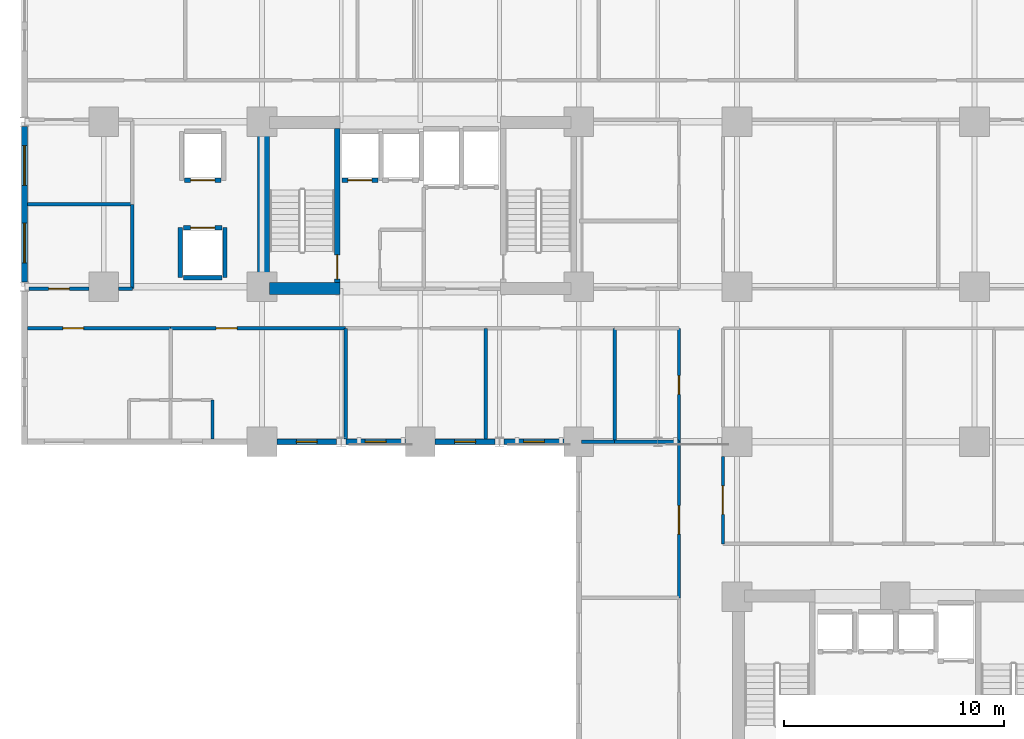
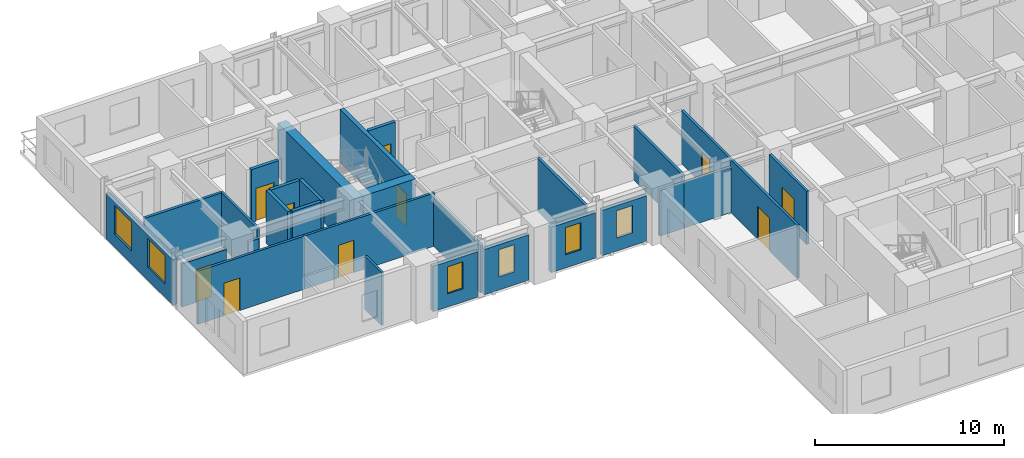
# One storey, part 3 of 11: 29 walls, 10 doors, 6 windows, 16 openings.
"""IFC4 building model written with IfcOpenShell, lengths in metres."""

from ifc_helpers import new_model, si_unit, direction, frame, frame_2d, origin, place, context, subcontext, project, spatial, rectangle, extrude, material, layer, layer_set, type_object, element, fill, save


model = new_model("IFC4")

# Units and contexts
model_context = context("Model", 3, precision=1e-05, world=origin(), true_north=direction((0.0, 1.0)))
body_context = subcontext(model_context, "Body", "Model", "MODEL_VIEW")
ifc_project = project(units=[si_unit("LENGTHUNIT", "METRE"), si_unit("AREAUNIT", "SQUARE_METRE"), si_unit("VOLUMEUNIT", "CUBIC_METRE"), si_unit("PLANEANGLEUNIT", "RADIAN"), si_unit("MASSUNIT", "GRAM", prefix="KILO")], contexts=[model_context])

# Site, building, storey
site_placement = place(None, origin())
site = spatial("IfcSite", under=ifc_project, at=site_placement, CompositionType="ELEMENT")
building_placement = place(site_placement, origin())
building = spatial("IfcBuilding", under=site, at=building_placement, Name="Kaliganga Portal Commons", CompositionType="ELEMENT")
storey_placement = place(building_placement, frame((0.0, 0.0, 36.39990234375)))
storey = spatial("IfcBuildingStorey", under=building, at=storey_placement, Name="L08", CompositionType="ELEMENT", Elevation=36.39990234375)

# Walls
ifc_material_1 = material(Name="Concrete C60/75", Category="concrete")
ifc_layer_1 = layer(ifc_material_1, 0.550048828125)
ifc_layer_set_1 = layer_set([ifc_layer_1], Name="Concrete C60/75")
wall_type_1 = type_object("IfcWallType", Name="WL-CORE-550", PredefinedType="SHEAR", material=ifc_layer_set_1)
wall_1_placement = place(storey_placement, frame((14.47509765625, 28.300048828125, 0.0), z_axis=(0.0, 0.0, 1.0), x_axis=(0.0, 1.0, 0.0)))
element("IfcWall", 1, at=wall_1_placement, inside=storey, type_object=wall_type_1, Name="Core A West Shear Wall L08", PredefinedType="SHEAR", context=body_context, shape_type="SweptSolid", body=[
    extrude(rectangle(XDim=8.099853515625, YDim=0.550048828125, at=frame_2d((4.0498046875, 0.0))), origin(), (0.0, 0.0, 1.0), 3.4501953125),
])
wall_2_placement = place(storey_placement, frame((14.75, 28.574951171875, 0.0), z_axis=(0.0, 0.0, 1.0), x_axis=(1.0, 0.0, 0.0)))
element("IfcWall", 2, at=wall_2_placement, inside=storey, type_object=wall_type_1, Name="Core A S-West Shear Wall L08", PredefinedType="SHEAR", context=body_context, shape_type="SweptSolid", body=[
    extrude(rectangle(XDim=3.199951171875, YDim=0.550048828125, at=frame_2d((1.60009765625, 0.0))), origin(), (0.0, 0.0, 1.0), 3.4501953125),
])

# Wall, openings, windows
ifc_material_2 = material(Name="Insulated Aluminium-Clad Spandrel Assembly", Category="aluminium")
ifc_layer_2 = layer(ifc_material_2, 0.260009765625)
ifc_layer_set_2 = layer_set([ifc_layer_2], Name="Insulated Aluminium-Clad Spandrel Assembly")
wall_type_2 = type_object("IfcWallType", Name="WL-EXT-SPAND-260", PredefinedType="STANDARD", material=ifc_layer_set_2)
wall_3_placement = place(storey_placement, frame((3.60009765625, 28.8740234375, 0.0), z_axis=(0.0, 0.0, 1.0), x_axis=(0.0, 1.0, 0.0)))
wall_3 = element("IfcWall", 3, at=wall_3_placement, inside=storey, type_object=wall_type_2, Name="Exterior Envelope Wall L08 P1-E03-S2", PredefinedType="STANDARD", context=body_context, shape_type="SweptSolid", body=[
    extrude(rectangle(XDim=7.052001953125, YDim=0.260009765625, at=frame_2d((3.52587890625, 0.0))), origin(), (0.0, 0.0, 1.0), 2.93017578125),
])
opening_1_placement = place(wall_3_placement, frame((0.863037109375, 0.0, 0.85009765625)))
opening_1 = element("IfcOpeningElement", 4, at=opening_1_placement, cuts=wall_3, Name="Opening W-01", PredefinedType="OPENING", context=body_context, shape_type="SweptSolid", body=[
    extrude(rectangle(XDim=1.800048828125, YDim=1.85009765625, at=frame_2d((0.89990234375, 0.925048828125))), frame((0.0, 0.14013671875, 0.0), z_axis=(0.0, -1.0, 0.0), x_axis=(1.0, 0.0, 0.0)), (0.0, 0.0, 1.0), 0.280029296875),
])
opening_2_placement = place(wall_3_placement, frame((4.388916015625, 0.0, 0.85009765625)))
opening_2 = element("IfcOpeningElement", 5, at=opening_2_placement, cuts=wall_3, Name="Opening W-01", PredefinedType="OPENING", context=body_context, shape_type="SweptSolid", body=[
    extrude(rectangle(XDim=1.800048828125, YDim=1.85009765625, at=frame_2d((0.89990234375, 0.925048828125))), frame((0.0, 0.14013671875, 0.0), z_axis=(0.0, -1.0, 0.0), x_axis=(1.0, 0.0, 0.0)), (0.0, 0.0, 1.0), 0.280029296875),
])
ifc_material_3 = material(Name="Thermally Broken Aluminium and Low-E Double Glazing", Category="aluminium")
window_type_1 = type_object("IfcWindowType", Name="WIN-STD-1800", PartitioningType="DOUBLE_PANEL_VERTICAL", PredefinedType="WINDOW", material=ifc_material_3)
window_1_placement = place(opening_1_placement, origin())
window_1 = element("IfcWindow", 6, at=window_1_placement, inside=storey, type_object=window_type_1, Name="Facade Window L08-P1E03S2-00", OverallHeight=1.85009765625, OverallWidth=1.800048828125, PartitioningType="SINGLE_PANEL", PredefinedType="WINDOW", context=body_context, shape_type="SweptSolid", body=[
    extrude(rectangle(XDim=1.800048828125, YDim=1.85009765625, at=frame_2d((0.89990234375, 0.925048828125))), frame((0.0, 0.030029296875, 0.0), z_axis=(0.0, -1.0, 0.0), x_axis=(1.0, 0.0, 0.0)), (0.0, 0.0, 1.0), 0.06005859375),
])
fill(opening_1, window_1)
window_2_placement = place(opening_2_placement, origin())
window_2 = element("IfcWindow", 7, at=window_2_placement, inside=storey, type_object=window_type_1, Name="Facade Window L08-P1E03S2-01", OverallHeight=1.85009765625, OverallWidth=1.800048828125, PartitioningType="SINGLE_PANEL", PredefinedType="WINDOW", context=body_context, shape_type="SweptSolid", body=[
    extrude(rectangle(XDim=1.800048828125, YDim=1.85009765625, at=frame_2d((0.89990234375, 0.925048828125))), frame((0.0, 0.030029296875, 0.0), z_axis=(0.0, -1.0, 0.0), x_axis=(1.0, 0.0, 0.0)), (0.0, 0.0, 1.0), 0.06005859375),
])
fill(opening_2, window_2)

# Wall, opening, window
wall_4_placement = place(storey_placement, frame((17.791015625, 21.60009765625, 0.0), z_axis=(0.0, 0.0, 1.0), x_axis=(-1.0, 0.0, 0.0)))
wall_4 = element("IfcWall", 8, at=wall_4_placement, inside=storey, type_object=wall_type_2, Name="Exterior Envelope Wall L08 P1-E04-S2", PredefinedType="STANDARD", context=body_context, shape_type="SweptSolid", body=[
    extrude(rectangle(XDim=2.715087890625, YDim=0.260009765625, at=frame_2d((1.357421875, 0.0))), origin(), (0.0, 0.0, 1.0), 2.93017578125),
])
opening_3_placement = place(wall_4_placement, frame((0.882568359375, 0.0, 0.85009765625)))
opening_3 = element("IfcOpeningElement", 9, at=opening_3_placement, cuts=wall_4, Name="Opening W-04", PredefinedType="OPENING", context=body_context, shape_type="SweptSolid", body=[
    extrude(rectangle(XDim=0.949951171875, YDim=1.75, at=frame_2d((0.47509765625, 0.875))), frame((0.0, 0.14013671875, 0.0), z_axis=(0.0, -1.0, 0.0), x_axis=(1.0, 0.0, 0.0)), (0.0, 0.0, 1.0), 0.280029296875),
])
window_type_2 = type_object("IfcWindowType", Name="WIN-NARROW-950", PartitioningType="SINGLE_PANEL", PredefinedType="WINDOW", material=ifc_material_3)
window_3_placement = place(opening_3_placement, origin())
window_3 = element("IfcWindow", 10, at=window_3_placement, inside=storey, type_object=window_type_2, Name="Facade Window L08-P1E04S2-00", OverallHeight=1.75, OverallWidth=0.949951171875, PartitioningType="SINGLE_PANEL", PredefinedType="WINDOW", context=body_context, shape_type="SweptSolid", body=[
    extrude(rectangle(XDim=0.949951171875, YDim=1.75, at=frame_2d((0.47509765625, 0.875))), frame((0.0, 0.030029296875, 0.0), z_axis=(0.0, -1.0, 0.0), x_axis=(1.0, 0.0, 0.0)), (0.0, 0.0, 1.0), 0.06005859375),
])
fill(opening_3, window_3)

wall_5_placement = place(storey_placement, frame((20.924072265625, 21.60009765625, 0.0), z_axis=(0.0, 0.0, 1.0), x_axis=(-1.0, 0.0, 0.0)))
wall_5 = element("IfcWall", 11, at=wall_5_placement, inside=storey, type_object=wall_type_2, Name="Exterior Envelope Wall L08 P1-E04-S3", PredefinedType="STANDARD", context=body_context, shape_type="SweptSolid", body=[
    extrude(rectangle(XDim=2.715087890625, YDim=0.260009765625, at=frame_2d((1.357421875, 0.0))), origin(), (0.0, 0.0, 1.0), 2.93017578125),
])
opening_4_placement = place(wall_5_placement, frame((0.882568359375, 0.0, 0.85009765625)))
opening_4 = element("IfcOpeningElement", 12, at=opening_4_placement, cuts=wall_5, Name="Opening W-04", PredefinedType="OPENING", context=body_context, shape_type="SweptSolid", body=[
    extrude(rectangle(XDim=0.949951171875, YDim=1.75, at=frame_2d((0.47509765625, 0.875))), frame((0.0, 0.14013671875, 0.0), z_axis=(0.0, -1.0, 0.0), x_axis=(1.0, 0.0, 0.0)), (0.0, 0.0, 1.0), 0.280029296875),
])
window_4_placement = place(opening_4_placement, origin())
window_4 = element("IfcWindow", 13, at=window_4_placement, inside=storey, type_object=window_type_2, Name="Facade Window L08-P1E04S3-00", OverallHeight=1.75, OverallWidth=0.949951171875, PartitioningType="SINGLE_PANEL", PredefinedType="WINDOW", context=body_context, shape_type="SweptSolid", body=[
    extrude(rectangle(XDim=0.949951171875, YDim=1.75, at=frame_2d((0.47509765625, 0.875))), frame((0.0, 0.030029296875, 0.0), z_axis=(0.0, -1.0, 0.0), x_axis=(1.0, 0.0, 0.0)), (0.0, 0.0, 1.0), 0.06005859375),
])
fill(opening_4, window_4)

wall_6_placement = place(storey_placement, frame((24.990966796875, 21.60009765625, 0.0), z_axis=(0.0, 0.0, 1.0), x_axis=(-1.0, 0.0, 0.0)))
wall_6 = element("IfcWall", 14, at=wall_6_placement, inside=storey, type_object=wall_type_2, Name="Exterior Envelope Wall L08 P1-E04-S4", PredefinedType="STANDARD", context=body_context, shape_type="SweptSolid", body=[
    extrude(rectangle(XDim=2.715087890625, YDim=0.260009765625, at=frame_2d((1.357421875, 0.0))), origin(), (0.0, 0.0, 1.0), 2.93017578125),
])
opening_5_placement = place(wall_6_placement, frame((0.882568359375, 0.0, 0.85009765625)))
opening_5 = element("IfcOpeningElement", 15, at=opening_5_placement, cuts=wall_6, Name="Opening W-04", PredefinedType="OPENING", context=body_context, shape_type="SweptSolid", body=[
    extrude(rectangle(XDim=0.949951171875, YDim=1.75, at=frame_2d((0.47509765625, 0.875))), frame((0.0, 0.14013671875, 0.0), z_axis=(0.0, -1.0, 0.0), x_axis=(1.0, 0.0, 0.0)), (0.0, 0.0, 1.0), 0.280029296875),
])
window_5_placement = place(opening_5_placement, origin())
window_5 = element("IfcWindow", 16, at=window_5_placement, inside=storey, type_object=window_type_2, Name="Facade Window L08-P1E04S4-00", OverallHeight=1.75, OverallWidth=0.949951171875, PartitioningType="SINGLE_PANEL", PredefinedType="WINDOW", context=body_context, shape_type="SweptSolid", body=[
    extrude(rectangle(XDim=0.949951171875, YDim=1.75, at=frame_2d((0.47509765625, 0.875))), frame((0.0, 0.030029296875, 0.0), z_axis=(0.0, -1.0, 0.0), x_axis=(1.0, 0.0, 0.0)), (0.0, 0.0, 1.0), 0.06005859375),
])
fill(opening_5, window_5)

wall_7_placement = place(storey_placement, frame((28.1240234375, 21.60009765625, 0.0), z_axis=(0.0, 0.0, 1.0), x_axis=(-1.0, 0.0, 0.0)))
wall_7 = element("IfcWall", 17, at=wall_7_placement, inside=storey, type_object=wall_type_2, Name="Exterior Envelope Wall L08 P1-E04-S5", PredefinedType="STANDARD", context=body_context, shape_type="SweptSolid", body=[
    extrude(rectangle(XDim=2.715087890625, YDim=0.260009765625, at=frame_2d((1.357421875, 0.0))), origin(), (0.0, 0.0, 1.0), 2.93017578125),
])
opening_6_placement = place(wall_7_placement, frame((0.882568359375, 0.0, 0.85009765625)))
opening_6 = element("IfcOpeningElement", 18, at=opening_6_placement, cuts=wall_7, Name="Opening W-04", PredefinedType="OPENING", context=body_context, shape_type="SweptSolid", body=[
    extrude(rectangle(XDim=0.949951171875, YDim=1.75, at=frame_2d((0.47509765625, 0.875))), frame((0.0, 0.14013671875, 0.0), z_axis=(0.0, -1.0, 0.0), x_axis=(1.0, 0.0, 0.0)), (0.0, 0.0, 1.0), 0.280029296875),
])
window_6_placement = place(opening_6_placement, origin())
window_6 = element("IfcWindow", 19, at=window_6_placement, inside=storey, type_object=window_type_2, Name="Facade Window L08-P1E04S5-00", OverallHeight=1.75, OverallWidth=0.949951171875, PartitioningType="SINGLE_PANEL", PredefinedType="WINDOW", context=body_context, shape_type="SweptSolid", body=[
    extrude(rectangle(XDim=0.949951171875, YDim=1.75, at=frame_2d((0.47509765625, 0.875))), frame((0.0, 0.030029296875, 0.0), z_axis=(0.0, -1.0, 0.0), x_axis=(1.0, 0.0, 0.0)), (0.0, 0.0, 1.0), 0.06005859375),
])
fill(opening_6, window_6)

# Wall, opening, door
ifc_material_4 = material(Name="Fire-Rated Gypsum Board on Steel Stud", Category="steel")
ifc_layer_3 = layer(ifc_material_4, 0.14990234375)
ifc_layer_set_3 = layer_set([ifc_layer_3], Name="Fire-Rated Gypsum Board on Steel Stud")
wall_type_3 = type_object("IfcWallType", Name="WL-PART-CORR-150", PredefinedType="PARTITIONING", material=ifc_layer_set_3)
wall_8_placement = place(storey_placement, frame((35.360107421875, 16.9599609375, 0.0), z_axis=(0.0, 0.0, 1.0), x_axis=(0.0, 1.0, 0.0)))
wall_8 = element("IfcWall", 20, at=wall_8_placement, inside=storey, type_object=wall_type_3, Name="Interior Partition L08-008", PredefinedType="PARTITIONING", context=body_context, shape_type="SweptSolid", body=[
    extrude(rectangle(XDim=3.965087890625, YDim=0.14990234375, at=frame_2d((1.982421875, 0.0))), origin(), (0.0, 0.0, 1.0), 3.43017578125),
])
opening_7_placement = place(wall_8_placement, frame((1.33251953125, 0.0, 0.0)))
opening_7 = element("IfcOpeningElement", 21, at=opening_7_placement, cuts=wall_8, Name="Opening RD-03", PredefinedType="OPENING", context=body_context, shape_type="SweptSolid", body=[
    extrude(rectangle(XDim=1.300048828125, YDim=2.1201171875, at=frame_2d((0.64990234375, 1.06005859375))), frame((0.0, 0.0849609375, 0.0), z_axis=(0.0, -1.0, 0.0), x_axis=(1.0, 0.0, 0.0)), (0.0, 0.0, 1.0), 0.169921875),
])
ifc_material_5 = material(Name="Glazed Timber Seminar Vision Door", Category="wood")
door_type_1 = type_object("IfcDoorType", Name="DR-STUDY-1300", OperationType="DOUBLE_DOOR_SINGLE_SWING", PredefinedType="DOOR", material=ifc_material_5)
door_1_placement = place(opening_7_placement, origin())
door_1 = element("IfcDoor", 22, at=door_1_placement, inside=storey, type_object=door_type_1, Name="Interior Door L08-BM01", OperationType="DOUBLE_DOOR_SINGLE_SWING", OverallHeight=2.1201171875, OverallWidth=1.300048828125, PredefinedType="DOOR", context=body_context, shape_type="SweptSolid", body=[
    extrude(rectangle(XDim=1.300048828125, YDim=2.1201171875, at=frame_2d((0.64990234375, 1.06005859375))), frame((0.0, 0.02490234375, 0.0), z_axis=(0.0, -1.0, 0.0), x_axis=(1.0, 0.0, 0.0)), (0.0, 0.0, 1.0), 0.050048828125),
])
fill(opening_7, door_1)

wall_9_placement = place(storey_placement, frame((10.239990234375, 26.760009765625, 0.0), z_axis=(0.0, 0.0, 1.0), x_axis=(1.0, 0.0, 0.0)))
wall_9 = element("IfcWall", 23, at=wall_9_placement, inside=storey, type_object=wall_type_3, Name="Interior Partition L08-016", PredefinedType="PARTITIONING", context=body_context, shape_type="SweptSolid", body=[
    extrude(rectangle(XDim=7.9599609375, YDim=0.14990234375, at=frame_2d((3.97998046875, 0.0))), origin(), (0.0, 0.0, 1.0), 3.43017578125),
])
opening_8_placement = place(wall_9_placement, frame((2.072265625, 0.0, 0.0)))
opening_8 = element("IfcOpeningElement", 24, at=opening_8_placement, cuts=wall_9, Name="Opening UD-01", PredefinedType="OPENING", context=body_context, shape_type="SweptSolid", body=[
    extrude(rectangle(XDim=0.949951171875, YDim=2.10009765625, at=frame_2d((0.47509765625, 1.050048828125))), frame((0.0, 0.0849609375, 0.0), z_axis=(0.0, -1.0, 0.0), x_axis=(1.0, 0.0, 0.0)), (0.0, 0.0, 1.0), 0.169921875),
])
ifc_material_6 = material(Name="Solid-Core Timber Acoustic Fire Door", Category="wood")
door_type_2 = type_object("IfcDoorType", Name="DR-UNIT-950", OperationType="NOTDEFINED", PredefinedType="DOOR", material=ifc_material_6)
door_2_placement = place(opening_8_placement, origin())
door_2 = element("IfcDoor", 25, at=door_2_placement, inside=storey, type_object=door_type_2, Name="Interior Door L08-AS02", OperationType="SINGLE_SWING_RIGHT", OverallHeight=2.10009765625, OverallWidth=0.949951171875, PredefinedType="DOOR", context=body_context, shape_type="SweptSolid", body=[
    extrude(rectangle(XDim=0.949951171875, YDim=2.10009765625, at=frame_2d((0.47509765625, 1.050048828125))), frame((0.0, 0.02490234375, 0.0), z_axis=(0.0, -1.0, 0.0), x_axis=(1.0, 0.0, 0.0)), (0.0, 0.0, 1.0), 0.050048828125),
])
fill(opening_8, door_2)

wall_10_placement = place(storey_placement, frame((33.360107421875, 14.5, 0.0), z_axis=(0.0, 0.0, 1.0), x_axis=(0.0, 1.0, 0.0)))
wall_10 = element("IfcWall", 26, at=wall_10_placement, inside=storey, type_object=wall_type_3, Name="Interior Partition L08-021", PredefinedType="PARTITIONING", context=body_context, shape_type="SweptSolid", body=[
    extrude(rectangle(XDim=7.10009765625, YDim=0.14990234375, at=frame_2d((3.550048828125, 0.0))), origin(), (0.0, 0.0, 1.0), 3.43017578125),
])
opening_9_placement = place(wall_10_placement, frame((2.89990234375, 0.0, 0.0)))
opening_9 = element("IfcOpeningElement", 27, at=opening_9_placement, cuts=wall_10, Name="Opening RD-03", PredefinedType="OPENING", context=body_context, shape_type="SweptSolid", body=[
    extrude(rectangle(XDim=1.300048828125, YDim=2.1201171875, at=frame_2d((0.64990234375, 1.06005859375))), frame((0.0, 0.0849609375, 0.0), z_axis=(0.0, -1.0, 0.0), x_axis=(1.0, 0.0, 0.0)), (0.0, 0.0, 1.0), 0.169921875),
])
door_3_placement = place(opening_9_placement, origin())
door_3 = element("IfcDoor", 28, at=door_3_placement, inside=storey, type_object=door_type_1, Name="Interior Door L08-KW02", OperationType="DOUBLE_DOOR_SINGLE_SWING", OverallHeight=2.1201171875, OverallWidth=1.300048828125, PredefinedType="DOOR", context=body_context, shape_type="SweptSolid", body=[
    extrude(rectangle(XDim=1.300048828125, YDim=2.1201171875, at=frame_2d((0.64990234375, 1.06005859375))), frame((0.0, 0.02490234375, 0.0), z_axis=(0.0, -1.0, 0.0), x_axis=(1.0, 0.0, 0.0)), (0.0, 0.0, 1.0), 0.050048828125),
])
fill(opening_9, door_3)

wall_11_placement = place(storey_placement, frame((3.73193359375, 26.760009765625, 0.0), z_axis=(0.0, 0.0, 1.0), x_axis=(1.0, 0.0, 0.0)))
wall_11 = element("IfcWall", 29, at=wall_11_placement, inside=storey, type_object=wall_type_3, Name="Interior Partition L08-026", PredefinedType="PARTITIONING", context=body_context, shape_type="SweptSolid", body=[
    extrude(rectangle(XDim=6.508056640625, YDim=0.14990234375, at=frame_2d((3.25390625, 0.0))), origin(), (0.0, 0.0, 1.0), 3.43017578125),
])
opening_10_placement = place(wall_11_placement, frame((1.607666015625, 0.0, 0.0)))
opening_10 = element("IfcOpeningElement", 30, at=opening_10_placement, cuts=wall_11, Name="Opening UD-01", PredefinedType="OPENING", context=body_context, shape_type="SweptSolid", body=[
    extrude(rectangle(XDim=0.949951171875, YDim=2.10009765625, at=frame_2d((0.47509765625, 1.050048828125))), frame((0.0, 0.0849609375, 0.0), z_axis=(0.0, -1.0, 0.0), x_axis=(1.0, 0.0, 0.0)), (0.0, 0.0, 1.0), 0.169921875),
])
door_4_placement = place(opening_10_placement, origin())
door_4 = element("IfcDoor", 31, at=door_4_placement, inside=storey, type_object=door_type_2, Name="Interior Door L08-AS01", OperationType="SINGLE_SWING_LEFT", OverallHeight=2.10009765625, OverallWidth=0.949951171875, PredefinedType="DOOR", context=body_context, shape_type="SweptSolid", body=[
    extrude(rectangle(XDim=0.949951171875, YDim=2.10009765625, at=frame_2d((0.47509765625, 1.050048828125))), frame((0.0, 0.02490234375, 0.0), z_axis=(0.0, -1.0, 0.0), x_axis=(1.0, 0.0, 0.0)), (0.0, 0.0, 1.0), 0.050048828125),
])
fill(opening_10, door_4)

wall_12_placement = place(storey_placement, frame((33.360107421875, 21.60009765625, 0.0), z_axis=(0.0, 0.0, 1.0), x_axis=(0.0, 1.0, 0.0)))
wall_12 = element("IfcWall", 32, at=wall_12_placement, inside=storey, type_object=wall_type_3, Name="Interior Partition L08-030", PredefinedType="PARTITIONING", context=body_context, shape_type="SweptSolid", body=[
    extrude(rectangle(XDim=5.159912109375, YDim=0.14990234375, at=frame_2d((2.580078125, 0.0))), origin(), (0.0, 0.0, 1.0), 3.43017578125),
])
opening_11_placement = place(wall_12_placement, frame((2.14990234375, 0.0, 0.0)))
opening_11 = element("IfcOpeningElement", 33, at=opening_11_placement, cuts=wall_12, Name="Opening WD-02", PredefinedType="OPENING", context=body_context, shape_type="SweptSolid", body=[
    extrude(rectangle(XDim=0.860107421875, YDim=2.02001953125, at=frame_2d((0.43017578125, 1.010009765625))), frame((0.0, 0.0849609375, 0.0), z_axis=(0.0, -1.0, 0.0), x_axis=(1.0, 0.0, 0.0)), (0.0, 0.0, 1.0), 0.169921875),
])
ifc_material_7 = material(Name="Fire-Rated Utility Closet Door", Category="wood")
door_type_3 = type_object("IfcDoorType", Name="DR-STORE-800", OperationType="NOTDEFINED", PredefinedType="DOOR", material=ifc_material_7)
door_5_placement = place(opening_11_placement, origin())
door_5 = element("IfcDoor", 34, at=door_5_placement, inside=storey, type_object=door_type_3, Name="Interior Door L08-AS05", OperationType="SINGLE_SWING_LEFT", OverallHeight=2.02001953125, OverallWidth=0.860107421875, PredefinedType="DOOR", context=body_context, shape_type="SweptSolid", body=[
    extrude(rectangle(XDim=0.860107421875, YDim=2.02001953125, at=frame_2d((0.43017578125, 1.010009765625))), frame((0.0, 0.02490234375, 0.0), z_axis=(0.0, -1.0, 0.0), x_axis=(1.0, 0.0, 0.0)), (0.0, 0.0, 1.0), 0.050048828125),
])
fill(opening_11, door_5)

wall_13_placement = place(storey_placement, frame((3.80810546875, 28.56005859375, 0.0), z_axis=(0.0, 0.0, 1.0), x_axis=(1.0, 0.0, 0.0)))
wall_13 = element("IfcWall", 35, at=wall_13_placement, inside=storey, type_object=wall_type_3, Name="Interior Partition L08-033", PredefinedType="PARTITIONING", context=body_context, shape_type="SweptSolid", body=[
    extrude(rectangle(XDim=2.716796875, YDim=0.14990234375, at=frame_2d((1.3583984375, 0.0))), origin(), (0.0, 0.0, 1.0), 2.780029296875),
])
opening_12_placement = place(wall_13_placement, frame((0.883544921875, 0.0, 0.0)))
opening_12 = element("IfcOpeningElement", 36, at=opening_12_placement, cuts=wall_13, Name="Opening UD-01", PredefinedType="OPENING", context=body_context, shape_type="SweptSolid", body=[
    extrude(rectangle(XDim=0.949951171875, YDim=2.10009765625, at=frame_2d((0.47509765625, 1.050048828125))), frame((0.0, 0.0849609375, 0.0), z_axis=(0.0, -1.0, 0.0), x_axis=(1.0, 0.0, 0.0)), (0.0, 0.0, 1.0), 0.169921875),
])
door_6_placement = place(opening_12_placement, origin())
door_6 = element("IfcDoor", 37, at=door_6_placement, inside=storey, type_object=door_type_2, Name="Interior Door L08-AW01", OperationType="SINGLE_SWING_RIGHT", OverallHeight=2.10009765625, OverallWidth=0.949951171875, PredefinedType="DOOR", context=body_context, shape_type="SweptSolid", body=[
    extrude(rectangle(XDim=0.949951171875, YDim=2.10009765625, at=frame_2d((0.47509765625, 1.050048828125))), frame((0.0, 0.02490234375, 0.0), z_axis=(0.0, -1.0, 0.0), x_axis=(1.0, 0.0, 0.0)), (0.0, 0.0, 1.0), 0.050048828125),
])
fill(opening_12, door_6)

# Walls
wall_14_placement = place(storey_placement, frame((7.875, 28.56005859375, 0.0), z_axis=(0.0, 0.0, 1.0), x_axis=(1.0, 0.0, 0.0)))
element("IfcWall", 38, at=wall_14_placement, inside=storey, type_object=wall_type_3, Name="Interior Partition L08-034", PredefinedType="PARTITIONING", context=body_context, shape_type="SweptSolid", body=[
    extrude(rectangle(XDim=0.625, YDim=0.14990234375, at=frame_2d((0.3125, 0.0))), origin(), (0.0, 0.0, 1.0), 2.780029296875),
])
wall_15_placement = place(storey_placement, frame((8.5, 28.56005859375, 0.0), z_axis=(0.0, 0.0, 1.0), x_axis=(0.0, 1.0, 0.0)))
element("IfcWall", 39, at=wall_15_placement, inside=storey, type_object=wall_type_3, Name="Interior Partition L08-046", PredefinedType="PARTITIONING", context=body_context, shape_type="SweptSolid", body=[
    extrude(rectangle(XDim=3.83984375, YDim=0.14990234375, at=frame_2d((1.919921875, 0.0))), origin(), (0.0, 0.0, 1.0), 3.43017578125),
])
ifc_material_8 = material(Name="Twin-Stud Acoustic Gypsum Partition", Category="gypsum")
ifc_layer_4 = layer(ifc_material_8, 0.1650390625)
ifc_layer_set_4 = layer_set([ifc_layer_4], Name="Twin-Stud Acoustic Gypsum Partition")
wall_type_4 = type_object("IfcWallType", Name="WL-PART-UNIT-165", PredefinedType="PARTITIONING", material=ifc_layer_set_4)
wall_16_placement = place(storey_placement, frame((18.199951171875, 21.73193359375, 0.0), z_axis=(0.0, 0.0, 1.0), x_axis=(0.0, 1.0, 0.0)))
element("IfcWall", 40, at=wall_16_placement, inside=storey, type_object=wall_type_4, Name="Interior Partition L08-075", PredefinedType="PARTITIONING", context=body_context, shape_type="SweptSolid", body=[
    extrude(rectangle(XDim=5.028076171875, YDim=0.1650390625, at=frame_2d((2.51416015625, 0.0))), origin(), (0.0, 0.0, 1.0), 3.070068359375),
])
wall_17_placement = place(storey_placement, frame((24.580078125, 21.73193359375, 0.0), z_axis=(0.0, 0.0, 1.0), x_axis=(0.0, 1.0, 0.0)))
element("IfcWall", 41, at=wall_17_placement, inside=storey, type_object=wall_type_4, Name="Interior Partition L08-076", PredefinedType="PARTITIONING", context=body_context, shape_type="SweptSolid", body=[
    extrude(rectangle(XDim=5.028076171875, YDim=0.1650390625, at=frame_2d((2.51416015625, 0.0))), origin(), (0.0, 0.0, 1.0), 3.43017578125),
])
wall_18_placement = place(storey_placement, frame((30.43994140625, 21.60009765625, 0.0), z_axis=(0.0, 0.0, 1.0), x_axis=(0.0, 1.0, 0.0)))
element("IfcWall", 42, at=wall_18_placement, inside=storey, type_object=wall_type_4, Name="Interior Partition L08-077", PredefinedType="PARTITIONING", context=body_context, shape_type="SweptSolid", body=[
    extrude(rectangle(XDim=5.159912109375, YDim=0.1650390625, at=frame_2d((2.580078125, 0.0))), origin(), (0.0, 0.0, 1.0), 3.43017578125),
])
wall_19_placement = place(storey_placement, frame((3.73193359375, 32.39990234375, 0.0), z_axis=(0.0, 0.0, 1.0), x_axis=(1.0, 0.0, 0.0)))
element("IfcWall", 43, at=wall_19_placement, inside=storey, type_object=wall_type_4, Name="Interior Partition L08-080", PredefinedType="PARTITIONING", context=body_context, shape_type="SweptSolid", body=[
    extrude(rectangle(XDim=4.76806640625, YDim=0.1650390625, at=frame_2d((2.384033203125, 0.0))), origin(), (0.0, 0.0, 1.0), 3.43017578125),
])
wall_20_placement = place(storey_placement, frame((30.43994140625, 21.60009765625, 0.0), z_axis=(0.0, 0.0, 1.0), x_axis=(1.0, 0.0, 0.0)))
element("IfcWall", 44, at=wall_20_placement, inside=storey, type_object=wall_type_4, Name="Interior Partition L08-092", PredefinedType="PARTITIONING", context=body_context, shape_type="SweptSolid", body=[
    extrude(rectangle(XDim=2.920166015625, YDim=0.1650390625, at=frame_2d((1.4599609375, 0.0))), origin(), (0.0, 0.0, 1.0), 2.93017578125),
])
wall_21_placement = place(storey_placement, frame((28.931884765625, 21.60009765625, 0.0), z_axis=(0.0, 0.0, 1.0), x_axis=(1.0, 0.0, 0.0)))
element("IfcWall", 45, at=wall_21_placement, inside=storey, type_object=wall_type_4, Name="Interior Partition L08-096", PredefinedType="PARTITIONING", context=body_context, shape_type="SweptSolid", body=[
    extrude(rectangle(XDim=1.508056640625, YDim=0.1650390625, at=frame_2d((0.75390625, 0.0))), origin(), (0.0, 0.0, 1.0), 2.93017578125),
])
ifc_material_9 = material(Name="Cement-Board Wet-Room Partition", Category="gypsum")
ifc_layer_5 = layer(ifc_material_9, 0.135009765625)
ifc_layer_set_5 = layer_set([ifc_layer_5], Name="Cement-Board Wet-Room Partition")
wall_type_5 = type_object("IfcWallType", Name="WL-PART-WET-135", PredefinedType="PARTITIONING", material=ifc_layer_set_5)
wall_22_placement = place(storey_placement, frame((12.139892578125, 21.73193359375, 0.0), z_axis=(0.0, 0.0, 1.0), x_axis=(0.0, 1.0, 0.0)))
element("IfcWall", 46, at=wall_22_placement, inside=storey, type_object=wall_type_5, Name="Interior Partition L08-005", PredefinedType="PARTITIONING", context=body_context, shape_type="SweptSolid", body=[
    extrude(rectangle(XDim=1.76806640625, YDim=0.135009765625, at=frame_2d((0.884033203125, 0.0))), origin(), (0.0, 0.0, 1.0), 3.43017578125),
])

# Wall, opening, door
ifc_material_10 = material(Name="Fire-Rated Shaftwall Masonry Assembly", Category="masonry")
ifc_layer_6 = layer(ifc_material_10, 0.199951171875)
ifc_layer_set_6 = layer_set([ifc_layer_6], Name="Fire-Rated Shaftwall Masonry Assembly")
wall_type_6 = type_object("IfcWallType", Name="WL-SHAFT-200", PredefinedType="PARTITIONING", material=ifc_layer_set_6)
wall_23_placement = place(storey_placement, frame((18.02490234375, 33.485107421875, 0.0), z_axis=(0.0, 0.0, 1.0), x_axis=(1.0, 0.0, 0.0)))
wall_23 = element("IfcWall", 47, at=wall_23_placement, inside=storey, type_object=wall_type_6, Name="Lift PL-A1 Hoistway Shaft Wall L08-S", PredefinedType="PARTITIONING", context=body_context, shape_type="SweptSolid", body=[
    extrude(rectangle(XDim=1.650146484375, YDim=0.199951171875, at=frame_2d((0.8251953125, 0.0))), origin(), (0.0, 0.0, 1.0), 3.43017578125),
])
opening_13_placement = place(wall_23_placement, frame((0.27490234375, 0.0, 0.0)))
opening_13 = element("IfcOpeningElement", 48, at=opening_13_placement, cuts=wall_23, Name="Opening LD-01", PredefinedType="OPENING", context=body_context, shape_type="SweptSolid", body=[
    extrude(rectangle(XDim=1.10009765625, YDim=2.1201171875, at=frame_2d((0.550048828125, 1.06005859375))), frame((0.0, 0.10986328125, 0.0), z_axis=(0.0, -1.0, 0.0), x_axis=(1.0, 0.0, 0.0)), (0.0, 0.0, 1.0), 0.219970703125),
])
ifc_material_11 = material(Name="Brushed Stainless Steel 316 Lift Landing Door", Category="steel")
door_type_4 = type_object("IfcDoorType", Name="DR-LIFT-1100", OperationType="SLIDING_TO_LEFT", PredefinedType="DOOR", material=ifc_material_11)
door_7_placement = place(opening_13_placement, origin())
door_7 = element("IfcDoor", 49, at=door_7_placement, inside=storey, type_object=door_type_4, Name="Lift PL-A1 Sliding Landing Door L08", OperationType="SLIDING_TO_LEFT", OverallHeight=2.1201171875, OverallWidth=1.10009765625, PredefinedType="DOOR", context=body_context, shape_type="SweptSolid", body=[
    extrude(rectangle(XDim=1.10009765625, YDim=2.1201171875, at=frame_2d((0.550048828125, 1.06005859375))), frame((0.0, 0.02490234375, 0.0), z_axis=(0.0, -1.0, 0.0), x_axis=(1.0, 0.0, 0.0)), (0.0, 0.0, 1.0), 0.050048828125),
])
fill(opening_13, door_7)

# Wall
wall_24_placement = place(storey_placement, frame((10.824951171875, 29.06005859375, 0.0), z_axis=(0.0, 0.0, 1.0), x_axis=(1.0, 0.0, 0.0)))
element("IfcWall", 50, at=wall_24_placement, inside=storey, type_object=wall_type_6, Name="Lift SH-1 Hoistway Shaft Wall L08-S", PredefinedType="PARTITIONING", context=body_context, shape_type="SweptSolid", body=[
    extrude(rectangle(XDim=1.75, YDim=0.199951171875, at=frame_2d((0.875, 0.0))), origin(), (0.0, 0.0, 1.0), 3.43017578125),
])

# Wall, opening, door
wall_25_placement = place(storey_placement, frame((10.824951171875, 31.340087890625, 0.0), z_axis=(0.0, 0.0, 1.0), x_axis=(1.0, 0.0, 0.0)))
wall_25 = element("IfcWall", 51, at=wall_25_placement, inside=storey, type_object=wall_type_6, Name="Lift SH-1 Hoistway Shaft Wall L08-N", PredefinedType="PARTITIONING", context=body_context, shape_type="SweptSolid", body=[
    extrude(rectangle(XDim=1.75, YDim=0.199951171875, at=frame_2d((0.875, 0.0))), origin(), (0.0, 0.0, 1.0), 3.43017578125),
])
opening_14_placement = place(wall_25_placement, frame((0.324951171875, 0.0, 0.0)))
opening_14 = element("IfcOpeningElement", 52, at=opening_14_placement, cuts=wall_25, Name="Opening LD-01", PredefinedType="OPENING", context=body_context, shape_type="SweptSolid", body=[
    extrude(rectangle(XDim=1.10009765625, YDim=2.1201171875, at=frame_2d((0.550048828125, 1.06005859375))), frame((0.0, 0.10986328125, 0.0), z_axis=(0.0, -1.0, 0.0), x_axis=(1.0, 0.0, 0.0)), (0.0, 0.0, 1.0), 0.219970703125),
])
door_8_placement = place(opening_14_placement, origin())
door_8 = element("IfcDoor", 53, at=door_8_placement, inside=storey, type_object=door_type_4, Name="Lift SH-1 Sliding Landing Door L08", OperationType="SLIDING_TO_LEFT", OverallHeight=2.1201171875, OverallWidth=1.10009765625, PredefinedType="DOOR", context=body_context, shape_type="SweptSolid", body=[
    extrude(rectangle(XDim=1.10009765625, YDim=2.1201171875, at=frame_2d((0.550048828125, 1.06005859375))), frame((0.0, 0.02490234375, 0.0), z_axis=(0.0, -1.0, 0.0), x_axis=(1.0, 0.0, 0.0)), (0.0, 0.0, 1.0), 0.050048828125),
])
fill(opening_14, door_8)

# Walls
for number, where, z_axis, x_axis, name in (
    (54, (10.68505859375, 29.06005859375, 0.0), (0.0, 0.0, 1.0), (0.0, 1.0, 0.0), "Lift SH-1 Hoistway Shaft Wall L08-W"),
    (55, (12.715087890625, 29.06005859375, 0.0), (0.0, 0.0, 1.0), (0.0, 1.0, 0.0), "Lift SH-1 Hoistway Shaft Wall L08-E"),
):
    element("IfcWall", number, at=place(storey_placement, frame(where, z_axis=z_axis, x_axis=x_axis)), inside=storey, type_object=wall_type_6, Name=name, PredefinedType="PARTITIONING", context=body_context, shape_type="SweptSolid", body=[
        extrude(rectangle(XDim=2.280029296875, YDim=0.199951171875, at=frame_2d((1.14013671875, 0.0))), origin(), (0.0, 0.0, 1.0), 3.43017578125),
    ])

# Wall, opening, door
wall_26_placement = place(storey_placement, frame((10.875, 33.485107421875, 0.0), z_axis=(0.0, 0.0, 1.0), x_axis=(1.0, 0.0, 0.0)))
wall_26 = element("IfcWall", 56, at=wall_26_placement, inside=storey, type_object=wall_type_6, Name="Lift PL-OBS Hoistway Shaft Wall L08-S", PredefinedType="PARTITIONING", context=body_context, shape_type="SweptSolid", body=[
    extrude(rectangle(XDim=1.64990234375, YDim=0.199951171875, at=frame_2d((0.824951171875, 0.0))), origin(), (0.0, 0.0, 1.0), 3.43017578125),
])
opening_15_placement = place(wall_26_placement, frame((0.27490234375, 0.0, 0.0)))
opening_15 = element("IfcOpeningElement", 57, at=opening_15_placement, cuts=wall_26, Name="Opening LD-01", PredefinedType="OPENING", context=body_context, shape_type="SweptSolid", body=[
    extrude(rectangle(XDim=1.10009765625, YDim=2.1201171875, at=frame_2d((0.550048828125, 1.06005859375))), frame((0.0, 0.10986328125, 0.0), z_axis=(0.0, -1.0, 0.0), x_axis=(1.0, 0.0, 0.0)), (0.0, 0.0, 1.0), 0.219970703125),
])
door_9_placement = place(opening_15_placement, origin())
door_9 = element("IfcDoor", 58, at=door_9_placement, inside=storey, type_object=door_type_4, Name="Lift PL-OBS Sliding Landing Door L08", OperationType="SLIDING_TO_LEFT", OverallHeight=2.1201171875, OverallWidth=1.10009765625, PredefinedType="DOOR", context=body_context, shape_type="SweptSolid", body=[
    extrude(rectangle(XDim=1.10009765625, YDim=2.1201171875, at=frame_2d((0.550048828125, 1.06005859375))), frame((0.0, 0.02490234375, 0.0), z_axis=(0.0, -1.0, 0.0), x_axis=(1.0, 0.0, 0.0)), (0.0, 0.0, 1.0), 0.050048828125),
])
fill(opening_15, door_9)

ifc_material_12 = material(Name="Concrete C50/60", Category="concrete")
ifc_layer_7 = layer(ifc_material_12, 0.25)
ifc_layer_set_7 = layer_set([ifc_layer_7], Name="Concrete C50/60")
wall_type_7 = type_object("IfcWallType", Name="WL-STAIR-250", PredefinedType="SHEAR", material=ifc_layer_set_7)
wall_27_placement = place(storey_placement, frame((17.824951171875, 28.85009765625, 0.0), z_axis=(0.0, 0.0, 1.0), x_axis=(0.0, 1.0, 0.0)))
wall_27 = element("IfcWall", 59, at=wall_27_placement, inside=storey, type_object=wall_type_7, Name="Stair A1 Enclosure Shear Wall L08", PredefinedType="SHEAR", context=body_context, shape_type="SweptSolid", body=[
    extrude(rectangle(XDim=7.0, YDim=0.25, at=frame_2d((3.5, 0.0))), origin(), (0.0, 0.0, 1.0), 3.4501953125),
])
opening_16_placement = place(wall_27_placement, frame((0.14990234375, 0.0, 0.0)))
opening_16 = element("IfcOpeningElement", 60, at=opening_16_placement, cuts=wall_27, Name="Opening SD-01", PredefinedType="OPENING", context=body_context, shape_type="SweptSolid", body=[
    extrude(rectangle(XDim=1.10009765625, YDim=2.080078125, at=frame_2d((0.550048828125, 1.0400390625))), frame((0.0, 0.135009765625, 0.0), z_axis=(0.0, -1.0, 0.0), x_axis=(1.0, 0.0, 0.0)), (0.0, 0.0, 1.0), 0.27001953125),
])
ifc_material_13 = material(Name="Galvanized Steel Fire Door Leaf and Frame", Category="steel")
door_type_5 = type_object("IfcDoorType", Name="DR-STAIR-1100", OperationType="NOTDEFINED", PredefinedType="DOOR", material=ifc_material_13)
door_10_placement = place(opening_16_placement, origin())
door_10 = element("IfcDoor", 61, at=door_10_placement, inside=storey, type_object=door_type_5, Name="Protected Stair ST-A1 Fire Door L08", OperationType="SINGLE_SWING_RIGHT", OverallHeight=2.080078125, OverallWidth=1.10009765625, PredefinedType="DOOR", context=body_context, shape_type="SweptSolid", body=[
    extrude(rectangle(XDim=1.10009765625, YDim=2.080078125, at=frame_2d((0.550048828125, 1.0400390625))), frame((0.0, 0.02490234375, 0.0), z_axis=(0.0, -1.0, 0.0), x_axis=(1.0, 0.0, 0.0)), (0.0, 0.0, 1.0), 0.050048828125),
])
fill(opening_16, door_10)

save(model, "model.ifc")
